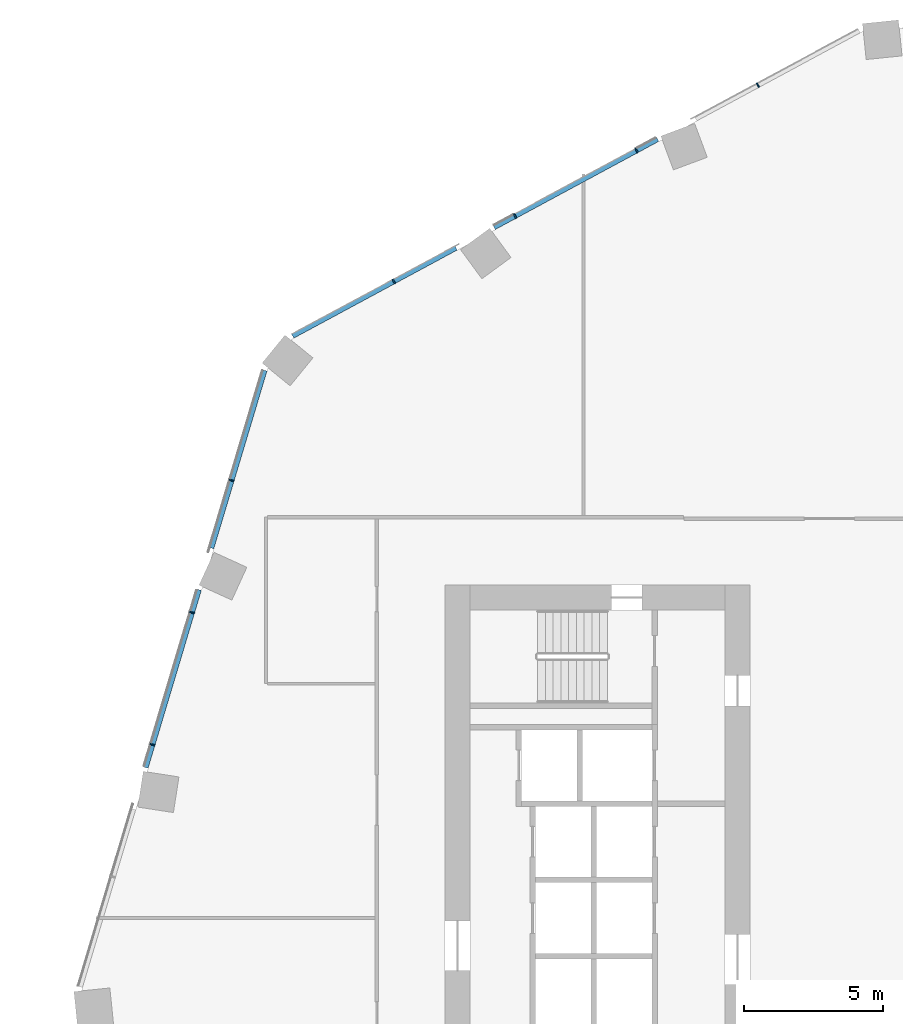
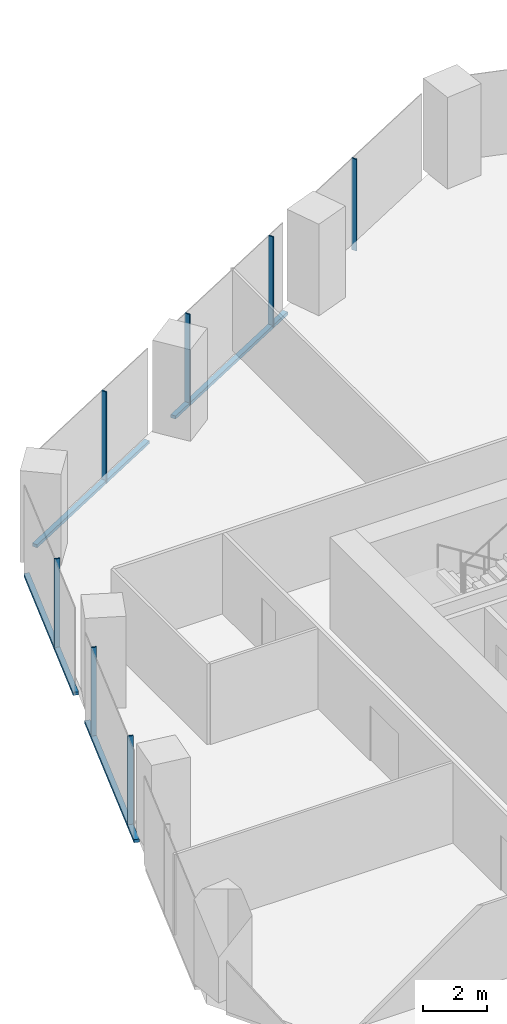
# One storey, part 11 of 34: 11 members, 2 elements without a shape of their own.
"""IFC4 building model written with IfcOpenShell, lengths in metres."""

from ifc_helpers import new_model, si_unit, direction, frame, origin, origin_2d, place, context, subcontext, project, spatial, rectangle, extrude, material, material_profile, profile_set, type_object, element, aggregate, save


model = new_model("IFC4")

# Units and contexts
model_context = context("Model", 3, precision=1e-05, world=origin(), true_north=direction((0.0, 1.0)))
body_context = subcontext(model_context, "Body", "Model", "MODEL_VIEW")
ifc_project = project(units=[si_unit("LENGTHUNIT", "METRE"), si_unit("AREAUNIT", "SQUARE_METRE"), si_unit("VOLUMEUNIT", "CUBIC_METRE"), si_unit("PLANEANGLEUNIT", "RADIAN"), si_unit("MASSUNIT", "GRAM", prefix="KILO")], contexts=[model_context])

# Site, building, storey
site_placement = place(None, origin())
site = spatial("IfcSite", under=ifc_project, at=site_placement, CompositionType="ELEMENT")
building_placement = place(site_placement, origin())
building = spatial("IfcBuilding", under=site, at=building_placement, Name="Orlundy Tower", CompositionType="ELEMENT")
storey_placement = place(building_placement, frame((0.0, 0.0, 127.199951171875)))
storey = spatial("IfcBuildingStorey", under=building, at=storey_placement, Name="L32", CompositionType="ELEMENT", Elevation=127.199951171875)

# Curtain wall, members
ifc_material_1 = material(Name="Aluminium bronze anodised", Category="aluminium")
curtain_wall_type = type_object("IfcCurtainWallType", Name="CW1 wall", PredefinedType="NOTDEFINED", material=ifc_material_1)
curtain_wall_1_placement = place(storey_placement, origin())
curtain_wall_1 = element("IfcCurtainWall", 1, at=curtain_wall_1_placement, inside=storey, type_object=curtain_wall_type, Name="CW1 run 02", PredefinedType="NOTDEFINED")
ifc_material_2 = material(Name="Aluminium bronze anodised", Category="aluminium")
ifc_material_profile_1 = material_profile(ifc_material_2, rectangle(XDim=0.179931640625, YDim=0.050048828125, at=origin_2d()), Name="CW1 mullion 50x180")
ifc_profile_set_1 = profile_set([ifc_material_profile_1], Name="Aluminium bronze anodised")
member_type_1 = type_object("IfcMemberType", Name="CW1 mullion 50x180", PredefinedType="MULLION", material=ifc_profile_set_1)
member_1_placement = place(storey_placement, frame((-29.5390625, 6.2490234375, -0.39990234375), z_axis=(0.0, 0.0, 1.0), x_axis=(-0.957985612971, 0.286816257107, 0.0)))
member_1 = element("IfcMember", 2, at=member_1_placement, type_object=member_type_1, Name="CW1 mullion 11", PredefinedType="MULLION", context=body_context, shape_type="SweptSolid", body=[
    extrude(rectangle(XDim=0.179931640625, YDim=0.050048828125, at=origin_2d()), origin(), (0.0, 0.0, 1.0), 3.5),
])
member_2_placement = place(storey_placement, frame((-28.113525390625, 11.010498046875, -0.39990234375), z_axis=(0.0, 0.0, 1.0), x_axis=(-0.957985612971, 0.286816257107, 0.0)))
member_2 = element("IfcMember", 3, at=member_2_placement, type_object=member_type_1, Name="CW1 mullion 12", PredefinedType="MULLION", context=body_context, shape_type="SweptSolid", body=[
    extrude(rectangle(XDim=0.179931640625, YDim=0.050048828125, at=origin_2d()), origin(), (0.0, 0.0, 1.0), 3.5),
])
member_3_placement = place(storey_placement, frame((-26.687744140625, 15.772216796875, -0.39990234375), z_axis=(0.0, 0.0, 1.0), x_axis=(-0.957985612971, 0.286816257107, 0.0)))
member_3 = element("IfcMember", 4, at=member_3_placement, type_object=member_type_1, Name="CW1 mullion 13", PredefinedType="MULLION", context=body_context, shape_type="SweptSolid", body=[
    extrude(rectangle(XDim=0.179931640625, YDim=0.050048828125, at=origin_2d()), origin(), (0.0, 0.0, 1.0), 3.5),
])

curtain_wall_2_placement = place(storey_placement, origin())
curtain_wall_2 = element("IfcCurtainWall", 5, at=curtain_wall_2_placement, inside=storey, type_object=curtain_wall_type, Name="CW1 run 03", PredefinedType="NOTDEFINED")
member_4_placement = place(storey_placement, frame((-20.843505859375, 22.946533203125, -0.39990234375), z_axis=(0.0, 0.0, 1.0), x_axis=(-0.47461800373, 0.880191882793, 0.0)))
member_4 = element("IfcMember", 6, at=member_4_placement, type_object=member_type_1, Name="CW1 mullion 15", PredefinedType="MULLION", context=body_context, shape_type="SweptSolid", body=[
    extrude(rectangle(XDim=0.179931640625, YDim=0.050048828125, at=origin_2d()), origin(), (0.0, 0.0, 1.0), 3.5),
])
member_5_placement = place(storey_placement, frame((-16.46826171875, 25.3056640625, -0.39990234375), z_axis=(0.0, 0.0, 1.0), x_axis=(-0.47461800373, 0.880191882793, 0.0)))
member_5 = element("IfcMember", 7, at=member_5_placement, type_object=member_type_1, Name="CW1 mullion 16", PredefinedType="MULLION", context=body_context, shape_type="SweptSolid", body=[
    extrude(rectangle(XDim=0.179931640625, YDim=0.050048828125, at=origin_2d()), origin(), (0.0, 0.0, 1.0), 3.5),
])
member_6_placement = place(storey_placement, frame((-12.093017578125, 27.664794921875, -0.39990234375), z_axis=(0.0, 0.0, 1.0), x_axis=(-0.47461800373, 0.880191882793, 0.0)))
member_6 = element("IfcMember", 8, at=member_6_placement, type_object=member_type_1, Name="CW1 mullion 17", PredefinedType="MULLION", context=body_context, shape_type="SweptSolid", body=[
    extrude(rectangle(XDim=0.179931640625, YDim=0.050048828125, at=origin_2d()), origin(), (0.0, 0.0, 1.0), 3.5),
])
member_7_placement = place(storey_placement, frame((-7.718017578125, 30.02392578125, -0.39990234375), z_axis=(0.0, 0.0, 1.0), x_axis=(-0.47461800373, 0.880191882793, 0.0)))
member_7 = element("IfcMember", 9, at=member_7_placement, type_object=member_type_1, Name="CW1 mullion 18", PredefinedType="MULLION", context=body_context, shape_type="SweptSolid", body=[
    extrude(rectangle(XDim=0.179931640625, YDim=0.050048828125, at=origin_2d()), origin(), (0.0, 0.0, 1.0), 3.5),
])

# Member
ifc_material_3 = material(Name="Aluminium bronze anodised", Category="aluminium")
ifc_material_profile_2 = material_profile(ifc_material_3, rectangle(XDim=0.179931640625, YDim=0.1201171875, at=origin_2d()), Name="CW1 transom 180x120")
ifc_profile_set_2 = profile_set([ifc_material_profile_2], Name="Aluminium bronze anodised")
member_type_2 = type_object("IfcMemberType", Name="CW1 transom 180x120", PredefinedType="USERDEFINED", material=ifc_profile_set_2)
member_8_placement = place(storey_placement, frame((-29.7861328125, 5.42333984375, -0.33984375), z_axis=(0.28679911732, 0.957990744373, 0.0), x_axis=(-0.957990744373, 0.28679911732, 0.0)))
member_8 = element("IfcMember", 10, at=member_8_placement, type_object=member_type_2, Name="CW1 transom", ObjectType="TRANSOM", PredefinedType="USERDEFINED", context=body_context, shape_type="SweptSolid", body=[
    extrude(rectangle(XDim=0.179931640625, YDim=0.1201171875, at=origin_2d()), origin(), (0.0, 0.0, 1.0), 6.6943359375),
])

member_9_placement = place(storey_placement, frame((-27.417236328125, 13.3359375, -0.33984375), z_axis=(0.28681514222, 0.957985946762, 0.0), x_axis=(-0.957985946762, 0.28681514222, 0.0)))
member_9 = element("IfcMember", 11, at=member_9_placement, type_object=member_type_2, Name="CW1 transom", ObjectType="TRANSOM", PredefinedType="USERDEFINED", context=body_context, shape_type="SweptSolid", body=[
    extrude(rectangle(XDim=0.179931640625, YDim=0.1201171875, at=origin_2d()), origin(), (0.0, 0.0, 1.0), 6.685302734375),
])

aggregate(curtain_wall_1, [member_1, member_2, member_3, member_8, member_9])

member_10_placement = place(storey_placement, frame((-24.489013671875, 20.980712890625, -0.33984375), z_axis=(0.880189674732, 0.474622098616, 0.0), x_axis=(-0.474622098616, 0.880189674732, 0.0)))
member_10 = element("IfcMember", 12, at=member_10_placement, type_object=member_type_2, Name="CW1 transom", ObjectType="TRANSOM", PredefinedType="USERDEFINED", context=body_context, shape_type="SweptSolid", body=[
    extrude(rectangle(XDim=0.179931640625, YDim=0.1201171875, at=origin_2d()), origin(), (0.0, 0.0, 1.0), 6.689208984375),
])

member_11_placement = place(storey_placement, frame((-17.226806640625, 24.896728515625, -0.33984375), z_axis=(0.880200432589, 0.474602147563, 0.0), x_axis=(-0.474602147563, 0.880200432589, 0.0)))
member_11 = element("IfcMember", 13, at=member_11_placement, type_object=member_type_2, Name="CW1 transom", ObjectType="TRANSOM", PredefinedType="USERDEFINED", context=body_context, shape_type="SweptSolid", body=[
    extrude(rectangle(XDim=0.179931640625, YDim=0.1201171875, at=origin_2d()), origin(), (0.0, 0.0, 1.0), 6.694091796875),
])

aggregate(curtain_wall_2, [member_4, member_5, member_6, member_7, member_10, member_11])

save(model, "model.ifc")
